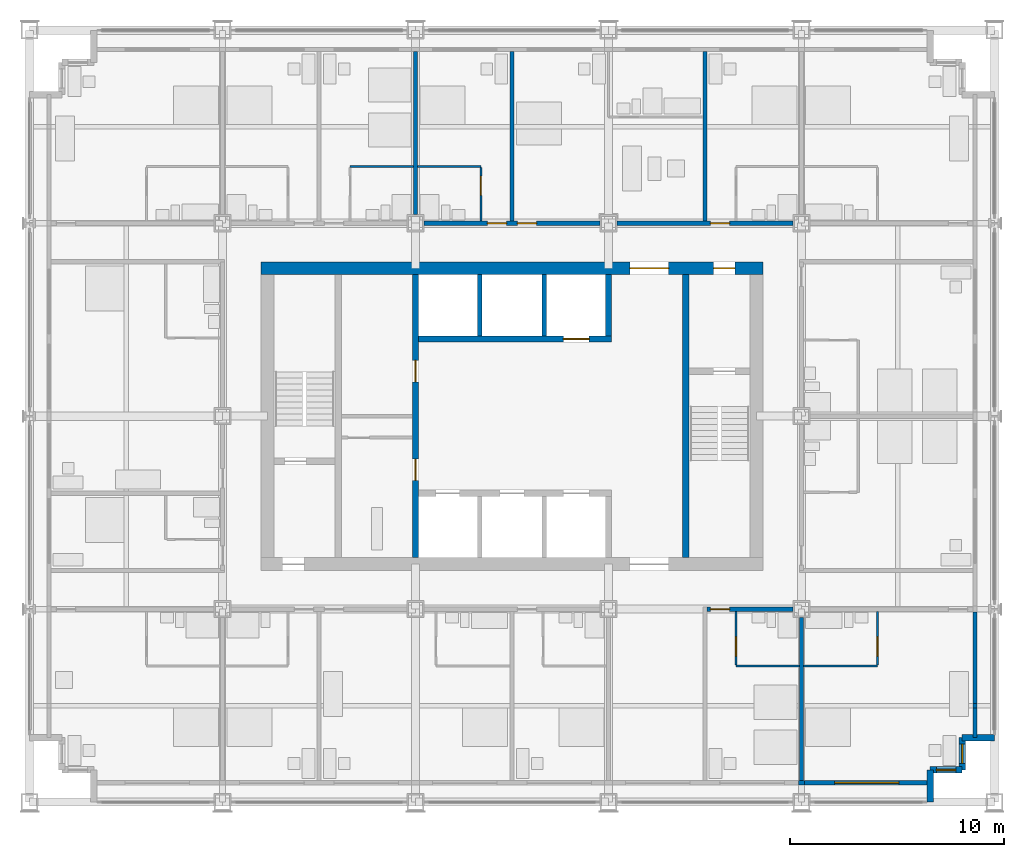
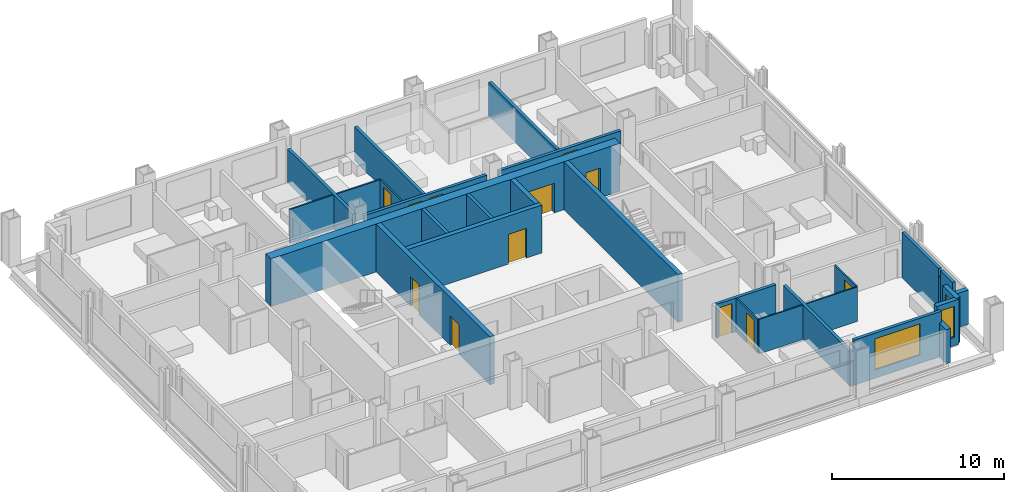
# One storey, part 11 of 16: 30 walls, 12 doors, 3 windows, 15 openings.
"""IFC4 building model written with IfcOpenShell, lengths in metres."""

from ifc_helpers import new_model, si_unit, direction, frame, frame_2d, origin, place, context, subcontext, project, spatial, rectangle, extrude, material, layer, layer_set, type_object, element, fill, save


model = new_model("IFC4")

# Units and contexts
model_context = context("Model", 3, precision=1e-05, world=origin(), true_north=direction((0.0, 1.0)))
body_context = subcontext(model_context, "Body", "Model", "MODEL_VIEW")
ifc_project = project(units=[si_unit("LENGTHUNIT", "METRE"), si_unit("AREAUNIT", "SQUARE_METRE"), si_unit("VOLUMEUNIT", "CUBIC_METRE"), si_unit("PLANEANGLEUNIT", "RADIAN"), si_unit("MASSUNIT", "GRAM", prefix="KILO")], contexts=[model_context])

# Site, building, storey
site_placement = place(None, origin())
site = spatial("IfcSite", under=ifc_project, at=site_placement, CompositionType="ELEMENT")
building_placement = place(site_placement, origin())
building = spatial("IfcBuilding", under=site, at=building_placement, Name="Loomwork Tower", CompositionType="ELEMENT")
storey_placement = place(building_placement, frame((0.0, 0.0, 101.0)))
storey = spatial("IfcBuildingStorey", under=building, at=storey_placement, Name="L26", CompositionType="ELEMENT", Elevation=101.0)

# Wall, openings, doors
ifc_material_1 = material(Name="Concrete 14000 psi (97 MPa)", Category="concrete")
ifc_layer_1 = layer(ifc_material_1, 0.300048828125)
ifc_layer_set_1 = layer_set([ifc_layer_1], Name="Core shear wall 300")
wall_type_1 = type_object("IfcWallType", Name="Core shear wall 300", PredefinedType="SHEAR", material=ifc_layer_set_1)
wall_1_placement = place(storey_placement, frame((18.0, 11.39990234375, 0.0), z_axis=(0.0, 0.0, 1.0), x_axis=(0.0, 1.0, 0.0)))
wall_1 = element("IfcWall", 1, at=wall_1_placement, inside=storey, type_object=wall_type_1, Name="Lobby west wall L26", PredefinedType="SHEAR", context=body_context, shape_type="SweptSolid", body=[
    extrude(rectangle(XDim=13.2001953125, YDim=0.300048828125, at=frame_2d((6.60009765625, 0.0))), origin(), (0.0, 0.0, 1.0), 3.39990234375),
])
opening_1_placement = place(wall_1_placement, frame((3.60009765625, 0.0, 0.0)))
opening_1 = element("IfcOpeningElement", 2, at=opening_1_placement, cuts=wall_1, Name="Opening D5", PredefinedType="OPENING", context=body_context, shape_type="SweptSolid", body=[
    extrude(rectangle(XDim=1.0, YDim=2.10009765625, at=frame_2d((0.5, 1.050048828125))), frame((0.0, 0.159912109375, 0.0), z_axis=(0.0, -1.0, 0.0), x_axis=(1.0, 0.0, 0.0)), (0.0, 0.0, 1.0), 0.320068359375),
])
opening_2_placement = place(wall_1_placement, frame((8.199951171875, 0.0, 0.0)))
opening_2 = element("IfcOpeningElement", 3, at=opening_2_placement, cuts=wall_1, Name="Opening D5", PredefinedType="OPENING", context=body_context, shape_type="SweptSolid", body=[
    extrude(rectangle(XDim=1.0, YDim=2.10009765625, at=frame_2d((0.5, 1.050048828125))), frame((0.0, 0.159912109375, 0.0), z_axis=(0.0, -1.0, 0.0), x_axis=(1.0, 0.0, 0.0)), (0.0, 0.0, 1.0), 0.320068359375),
])
ifc_material_2 = material(Name="Hollow metal door and frame")
door_type_1 = type_object("IfcDoorType", Name="Service door 1000", OperationType="SINGLE_SWING_LEFT", PredefinedType="DOOR", material=ifc_material_2)
door_1_placement = place(opening_1_placement, origin())
door_1 = element("IfcDoor", 4, at=door_1_placement, inside=storey, type_object=door_type_1, Name="Back-of-house door south", OperationType="SINGLE_SWING_LEFT", OverallHeight=2.10009765625, OverallWidth=1.0, PredefinedType="DOOR", context=body_context, shape_type="SweptSolid", body=[
    extrude(rectangle(XDim=1.0, YDim=2.10009765625, at=frame_2d((0.5, 1.050048828125))), frame((0.0, 0.02490234375, 0.0), z_axis=(0.0, -1.0, 0.0), x_axis=(1.0, 0.0, 0.0)), (0.0, 0.0, 1.0), 0.050048828125),
])
fill(opening_1, door_1)
door_2_placement = place(opening_2_placement, origin())
door_2 = element("IfcDoor", 5, at=door_2_placement, inside=storey, type_object=door_type_1, Name="Back-of-house door north", OperationType="SINGLE_SWING_RIGHT", OverallHeight=2.10009765625, OverallWidth=1.0, PredefinedType="DOOR", context=body_context, shape_type="SweptSolid", body=[
    extrude(rectangle(XDim=1.0, YDim=2.10009765625, at=frame_2d((0.5, 1.050048828125))), frame((0.0, 0.02490234375, 0.0), z_axis=(0.0, -1.0, 0.0), x_axis=(1.0, 0.0, 0.0)), (0.0, 0.0, 1.0), 0.050048828125),
])
fill(opening_2, door_2)

# Wall, opening, door
wall_2_placement = place(storey_placement, frame((18.14990234375, 21.60009765625, 0.0), z_axis=(0.0, 0.0, 1.0), x_axis=(1.0, 0.0, 0.0)))
wall_2 = element("IfcWall", 6, at=wall_2_placement, inside=storey, type_object=wall_type_1, Name="Lift front wall north L26", PredefinedType="SHEAR", context=body_context, shape_type="SweptSolid", body=[
    extrude(rectangle(XDim=9.0, YDim=0.300048828125, at=frame_2d((4.5, 0.0))), origin(), (0.0, 0.0, 1.0), 3.39990234375),
])
opening_3_placement = place(wall_2_placement, frame((6.75, 0.0, 0.0)))
opening_3 = element("IfcOpeningElement", 7, at=opening_3_placement, cuts=wall_2, Name="Opening LD2", PredefinedType="OPENING", context=body_context, shape_type="SweptSolid", body=[
    extrude(rectangle(XDim=1.199951171875, YDim=2.10009765625, at=frame_2d((0.60009765625, 1.050048828125))), frame((0.0, 0.159912109375, 0.0), z_axis=(0.0, -1.0, 0.0), x_axis=(1.0, 0.0, 0.0)), (0.0, 0.0, 1.0), 0.320068359375),
])
ifc_material_3 = material(Name="Hollow metal door and frame")
door_type_2 = type_object("IfcDoorType", Name="Lift landing door 1200", OperationType="SLIDING_TO_LEFT", PredefinedType="DOOR", material=ifc_material_3)
door_3_placement = place(opening_3_placement, origin())
door_3 = element("IfcDoor", 8, at=door_3_placement, inside=storey, type_object=door_type_2, Name="Lift landing door LF2", OperationType="SLIDING_TO_LEFT", OverallHeight=2.10009765625, OverallWidth=1.199951171875, PredefinedType="DOOR", context=body_context, shape_type="SweptSolid", body=[
    extrude(rectangle(XDim=1.199951171875, YDim=2.10009765625, at=frame_2d((0.60009765625, 1.050048828125))), frame((0.0, 0.02490234375, 0.0), z_axis=(0.0, -1.0, 0.0), x_axis=(1.0, 0.0, 0.0)), (0.0, 0.0, 1.0), 0.050048828125),
])
fill(opening_3, door_3)

# Walls
wall_3_placement = place(storey_placement, frame((27.0, 21.75, 0.0), z_axis=(0.0, 0.0, 1.0), x_axis=(0.0, 1.0, 0.0)))
element("IfcWall", 9, at=wall_3_placement, inside=storey, type_object=wall_type_1, Name="Lift shaft end wall north L26", PredefinedType="SHEAR", context=body_context, shape_type="SweptSolid", body=[
    extrude(rectangle(XDim=2.85009765625, YDim=0.300048828125, at=frame_2d((1.425048828125, 0.0))), origin(), (0.0, 0.0, 1.0), 3.39990234375),
])
wall_4_placement = place(storey_placement, frame((30.60009765625, 11.39990234375, 0.0), z_axis=(0.0, 0.0, 1.0), x_axis=(0.0, 1.0, 0.0)))
element("IfcWall", 10, at=wall_4_placement, inside=storey, type_object=wall_type_1, Name="Stair B west wall L26", PredefinedType="SHEAR", context=body_context, shape_type="SweptSolid", body=[
    extrude(rectangle(XDim=13.2001953125, YDim=0.300048828125, at=frame_2d((6.60009765625, 0.0))), origin(), (0.0, 0.0, 1.0), 3.39990234375),
])

# Wall, openings, doors
ifc_material_4 = material(Name="Concrete 14000 psi (97 MPa)", Category="concrete")
ifc_layer_2 = layer(ifc_material_4, 0.60009765625)
ifc_layer_set_2 = layer_set([ifc_layer_2], Name="Core shear wall 600")
wall_type_2 = type_object("IfcWallType", Name="Core shear wall 600", PredefinedType="SHEAR", material=ifc_layer_set_2)
wall_5_placement = place(storey_placement, frame((10.800048828125, 24.89990234375, 0.0), z_axis=(0.0, 0.0, 1.0), x_axis=(1.0, 0.0, 0.0)))
wall_5 = element("IfcWall", 11, at=wall_5_placement, inside=storey, type_object=wall_type_2, Name="Core wall north L26", PredefinedType="SHEAR", context=body_context, shape_type="SweptSolid", body=[
    extrude(rectangle(XDim=23.39990234375, YDim=0.60009765625, at=frame_2d((11.699951171875, 0.0))), origin(), (0.0, 0.0, 1.0), 3.39990234375),
])
opening_4_placement = place(wall_5_placement, frame((17.199951171875, 0.0, 0.0)))
opening_4 = element("IfcOpeningElement", 12, at=opening_4_placement, cuts=wall_5, Name="Opening D6", PredefinedType="OPENING", context=body_context, shape_type="SweptSolid", body=[
    extrude(rectangle(XDim=1.800048828125, YDim=2.10009765625, at=frame_2d((0.89990234375, 1.050048828125))), frame((0.0, 0.31005859375, 0.0), z_axis=(0.0, -1.0, 0.0), x_axis=(1.0, 0.0, 0.0)), (0.0, 0.0, 1.0), 0.6201171875),
])
opening_5_placement = place(wall_5_placement, frame((21.10009765625, 0.0, 0.0)))
opening_5 = element("IfcOpeningElement", 13, at=opening_5_placement, cuts=wall_5, Name="Opening D4", PredefinedType="OPENING", context=body_context, shape_type="SweptSolid", body=[
    extrude(rectangle(XDim=1.0, YDim=2.10009765625, at=frame_2d((0.5, 1.050048828125))), frame((0.0, 0.31005859375, 0.0), z_axis=(0.0, -1.0, 0.0), x_axis=(1.0, 0.0, 0.0)), (0.0, 0.0, 1.0), 0.6201171875),
])
ifc_material_5 = material(Name="Hollow metal door and frame")
door_type_3 = type_object("IfcDoorType", Name="Lobby passage double door 1800", OperationType="DOUBLE_DOOR_SINGLE_SWING", PredefinedType="DOOR", material=ifc_material_5)
door_4_placement = place(opening_4_placement, frame((1.800048828125, 0.0, 0.0), z_axis=(0.0, 0.0, 1.0), x_axis=(-1.0, 0.0, 0.0)))
door_4 = element("IfcDoor", 14, at=door_4_placement, inside=storey, type_object=door_type_3, Name="Lobby passage door north", OperationType="DOUBLE_DOOR_SINGLE_SWING", OverallHeight=2.10009765625, OverallWidth=1.800048828125, PredefinedType="DOOR", context=body_context, shape_type="SweptSolid", body=[
    extrude(rectangle(XDim=1.800048828125, YDim=2.10009765625, at=frame_2d((0.89990234375, 1.050048828125))), frame((0.0, 0.02490234375, 0.0), z_axis=(0.0, -1.0, 0.0), x_axis=(1.0, 0.0, 0.0)), (0.0, 0.0, 1.0), 0.050048828125),
])
fill(opening_4, door_4)
ifc_material_6 = material(Name="Hollow metal door and frame")
door_type_4 = type_object("IfcDoorType", Name="Stair door 1000", OperationType="SINGLE_SWING_RIGHT", PredefinedType="DOOR", material=ifc_material_6)
door_5_placement = place(opening_5_placement, frame((1.0, 0.0, 0.0), z_axis=(0.0, 0.0, 1.0), x_axis=(-1.0, 0.0, 0.0)))
door_5 = element("IfcDoor", 15, at=door_5_placement, inside=storey, type_object=door_type_4, Name="Stair B vestibule door", OperationType="SINGLE_SWING_LEFT", OverallHeight=2.10009765625, OverallWidth=1.0, PredefinedType="DOOR", context=body_context, shape_type="SweptSolid", body=[
    extrude(rectangle(XDim=1.0, YDim=2.10009765625, at=frame_2d((0.5, 1.050048828125))), frame((0.0, 0.02490234375, 0.0), z_axis=(0.0, -1.0, 0.0), x_axis=(1.0, 0.0, 0.0)), (0.0, 0.0, 1.0), 0.050048828125),
])
fill(opening_5, door_5)

# Wall, opening, door
ifc_material_7 = material(Name="Gypsum board on steel studs, one-hour", Category="steel")
ifc_layer_3 = layer(ifc_material_7, 0.199951171875)
ifc_layer_set_3 = layer_set([ifc_layer_3], Name="Corridor wall 200")
wall_type_3 = type_object("IfcWallType", Name="Corridor wall 200", PredefinedType="PARTITIONING", material=ifc_layer_set_3)
wall_6_placement = place(storey_placement, frame((31.60009765625, 9.0, 0.0), z_axis=(0.0, 0.0, 1.0), x_axis=(1.0, 0.0, 0.0)))
wall_6 = element("IfcWall", 16, at=wall_6_placement, inside=storey, type_object=wall_type_3, Name="South corridor wall 4", PredefinedType="PARTITIONING", context=body_context, shape_type="SweptSolid", body=[
    extrude(rectangle(XDim=4.0, YDim=0.199951171875, at=frame_2d((2.0, 0.0))), origin(), (0.0, 0.0, 1.0), 2.405029296875),
])
opening_6_placement = place(wall_6_placement, frame((0.14990234375, 0.0, 0.0)))
opening_6 = element("IfcOpeningElement", 17, at=opening_6_placement, cuts=wall_6, Name="Opening D1", PredefinedType="OPENING", context=body_context, shape_type="SweptSolid", body=[
    extrude(rectangle(XDim=0.89990234375, YDim=2.10009765625, at=frame_2d((0.449951171875, 1.050048828125))), frame((0.0, 0.10986328125, 0.0), z_axis=(0.0, -1.0, 0.0), x_axis=(1.0, 0.0, 0.0)), (0.0, 0.0, 1.0), 0.219970703125),
])
ifc_material_8 = material(Name="Hollow metal door and frame")
door_type_5 = type_object("IfcDoorType", Name="Guest room entry door 900", OperationType="SINGLE_SWING_LEFT", PredefinedType="DOOR", material=ifc_material_8)
door_6_placement = place(opening_6_placement, frame((0.89990234375, 0.0, 0.0), z_axis=(0.0, 0.0, 1.0), x_axis=(-1.0, 0.0, 0.0)))
door_6 = element("IfcDoor", 18, at=door_6_placement, inside=storey, type_object=door_type_5, Name="Guest room entry door L26 5", OperationType="SINGLE_SWING_RIGHT", OverallHeight=2.10009765625, OverallWidth=0.89990234375, PredefinedType="DOOR", context=body_context, shape_type="SweptSolid", body=[
    extrude(rectangle(XDim=0.89990234375, YDim=2.10009765625, at=frame_2d((0.449951171875, 1.050048828125))), frame((0.0, 0.02490234375, 0.0), z_axis=(0.0, -1.0, 0.0), x_axis=(1.0, 0.0, 0.0)), (0.0, 0.0, 1.0), 0.050048828125),
])
fill(opening_6, door_6)

# Wall, openings, doors
wall_7_placement = place(storey_placement, frame((18.39990234375, 27.0, 0.0), z_axis=(0.0, 0.0, 1.0), x_axis=(1.0, 0.0, 0.0)))
wall_7 = element("IfcWall", 19, at=wall_7_placement, inside=storey, type_object=wall_type_3, Name="North corridor wall 3", PredefinedType="PARTITIONING", context=body_context, shape_type="SweptSolid", body=[
    extrude(rectangle(XDim=8.2001953125, YDim=0.199951171875, at=frame_2d((4.10009765625, 0.0))), origin(), (0.0, 0.0, 1.0), 2.405029296875),
])
opening_7_placement = place(wall_7_placement, frame((2.949951171875, 0.0, 0.0)))
opening_7 = element("IfcOpeningElement", 20, at=opening_7_placement, cuts=wall_7, Name="Opening D1", PredefinedType="OPENING", context=body_context, shape_type="SweptSolid", body=[
    extrude(rectangle(XDim=0.89990234375, YDim=2.10009765625, at=frame_2d((0.449951171875, 1.050048828125))), frame((0.0, 0.10986328125, 0.0), z_axis=(0.0, -1.0, 0.0), x_axis=(1.0, 0.0, 0.0)), (0.0, 0.0, 1.0), 0.219970703125),
])
opening_8_placement = place(wall_7_placement, frame((4.35009765625, 0.0, 0.0)))
opening_8 = element("IfcOpeningElement", 21, at=opening_8_placement, cuts=wall_7, Name="Opening D1", PredefinedType="OPENING", context=body_context, shape_type="SweptSolid", body=[
    extrude(rectangle(XDim=0.89990234375, YDim=2.10009765625, at=frame_2d((0.449951171875, 1.050048828125))), frame((0.0, 0.10986328125, 0.0), z_axis=(0.0, -1.0, 0.0), x_axis=(1.0, 0.0, 0.0)), (0.0, 0.0, 1.0), 0.219970703125),
])
door_7_placement = place(opening_7_placement, origin())
door_7 = element("IfcDoor", 22, at=door_7_placement, inside=storey, type_object=door_type_5, Name="Guest room entry door L26 10", OperationType="SINGLE_SWING_RIGHT", OverallHeight=2.10009765625, OverallWidth=0.89990234375, PredefinedType="DOOR", context=body_context, shape_type="SweptSolid", body=[
    extrude(rectangle(XDim=0.89990234375, YDim=2.10009765625, at=frame_2d((0.449951171875, 1.050048828125))), frame((0.0, 0.02490234375, 0.0), z_axis=(0.0, -1.0, 0.0), x_axis=(1.0, 0.0, 0.0)), (0.0, 0.0, 1.0), 0.050048828125),
])
fill(opening_7, door_7)
door_8_placement = place(opening_8_placement, origin())
door_8 = element("IfcDoor", 23, at=door_8_placement, inside=storey, type_object=door_type_5, Name="Guest room entry door L26 11", OperationType="SINGLE_SWING_LEFT", OverallHeight=2.10009765625, OverallWidth=0.89990234375, PredefinedType="DOOR", context=body_context, shape_type="SweptSolid", body=[
    extrude(rectangle(XDim=0.89990234375, YDim=2.10009765625, at=frame_2d((0.449951171875, 1.050048828125))), frame((0.0, 0.02490234375, 0.0), z_axis=(0.0, -1.0, 0.0), x_axis=(1.0, 0.0, 0.0)), (0.0, 0.0, 1.0), 0.050048828125),
])
fill(opening_8, door_8)

# Wall, opening, door
wall_8_placement = place(storey_placement, frame((27.39990234375, 27.0, 0.0), z_axis=(0.0, 0.0, 1.0), x_axis=(1.0, 0.0, 0.0)))
wall_8 = element("IfcWall", 24, at=wall_8_placement, inside=storey, type_object=wall_type_3, Name="North corridor wall 4", PredefinedType="PARTITIONING", context=body_context, shape_type="SweptSolid", body=[
    extrude(rectangle(XDim=8.2001953125, YDim=0.199951171875, at=frame_2d((4.10009765625, 0.0))), origin(), (0.0, 0.0, 1.0), 2.405029296875),
])
opening_9_placement = place(wall_8_placement, frame((4.35009765625, 0.0, 0.0)))
opening_9 = element("IfcOpeningElement", 25, at=opening_9_placement, cuts=wall_8, Name="Opening D1", PredefinedType="OPENING", context=body_context, shape_type="SweptSolid", body=[
    extrude(rectangle(XDim=0.89990234375, YDim=2.10009765625, at=frame_2d((0.449951171875, 1.050048828125))), frame((0.0, 0.10986328125, 0.0), z_axis=(0.0, -1.0, 0.0), x_axis=(1.0, 0.0, 0.0)), (0.0, 0.0, 1.0), 0.219970703125),
])
door_9_placement = place(opening_9_placement, origin())
door_9 = element("IfcDoor", 26, at=door_9_placement, inside=storey, type_object=door_type_5, Name="Guest room entry door L26 12", OperationType="SINGLE_SWING_LEFT", OverallHeight=2.10009765625, OverallWidth=0.89990234375, PredefinedType="DOOR", context=body_context, shape_type="SweptSolid", body=[
    extrude(rectangle(XDim=0.89990234375, YDim=2.10009765625, at=frame_2d((0.449951171875, 1.050048828125))), frame((0.0, 0.02490234375, 0.0), z_axis=(0.0, -1.0, 0.0), x_axis=(1.0, 0.0, 0.0)), (0.0, 0.0, 1.0), 0.050048828125),
])
fill(opening_9, door_9)

# Wall
ifc_material_9 = material(Name="Cement board on steel studs", Category="steel")
ifc_layer_4 = layer(ifc_material_9, 0.10009765625)
ifc_layer_set_4 = layer_set([ifc_layer_4], Name="En-suite partition 100")
wall_type_4 = type_object("IfcWallType", Name="En-suite partition 100", PredefinedType="PARTITIONING", material=ifc_layer_set_4)
wall_9_placement = place(storey_placement, frame((32.949951171875, 6.35009765625, 0.0), z_axis=(0.0, 0.0, 1.0), x_axis=(1.0, 0.0, 0.0)))
element("IfcWall", 27, at=wall_9_placement, inside=storey, type_object=wall_type_4, Name="En-suite wall L26 room 5", PredefinedType="PARTITIONING", context=body_context, shape_type="SweptSolid", body=[
    extrude(rectangle(XDim=2.949951171875, YDim=0.10009765625, at=frame_2d((1.47509765625, 0.0))), origin(), (0.0, 0.0, 1.0), 2.43798828125),
])

# Wall, opening, door
wall_10_placement = place(storey_placement, frame((32.949951171875, 8.89990234375, 0.0), z_axis=(0.0, 0.0, 1.0), x_axis=(0.0, -1.0, 0.0)))
wall_10 = element("IfcWall", 28, at=wall_10_placement, inside=storey, type_object=wall_type_4, Name="En-suite side wall L26 room 5", PredefinedType="PARTITIONING", context=body_context, shape_type="SweptSolid", body=[
    extrude(rectangle(XDim=2.5, YDim=0.10009765625, at=frame_2d((1.25, 0.0))), origin(), (0.0, 0.0, 1.0), 2.404052734375),
])
opening_10_placement = place(wall_10_placement, frame((1.199951171875, 0.0, 0.0)))
opening_10 = element("IfcOpeningElement", 29, at=opening_10_placement, cuts=wall_10, Name="Opening D2", PredefinedType="OPENING", context=body_context, shape_type="SweptSolid", body=[
    extrude(rectangle(XDim=0.89990234375, YDim=2.10009765625, at=frame_2d((0.449951171875, 1.050048828125))), frame((0.0, 0.06005859375, 0.0), z_axis=(0.0, -1.0, 0.0), x_axis=(1.0, 0.0, 0.0)), (0.0, 0.0, 1.0), 0.1201171875),
])
ifc_material_10 = material(Name="Hollow metal door and frame")
door_type_6 = type_object("IfcDoorType", Name="En-suite door 900", OperationType="SINGLE_SWING_LEFT", PredefinedType="DOOR", material=ifc_material_10)
door_10_placement = place(opening_10_placement, origin())
door_10 = element("IfcDoor", 30, at=door_10_placement, inside=storey, type_object=door_type_6, Name="En-suite door room 5", OperationType="SINGLE_SWING_RIGHT", OverallHeight=2.10009765625, OverallWidth=0.89990234375, PredefinedType="DOOR", context=body_context, shape_type="SweptSolid", body=[
    extrude(rectangle(XDim=0.89990234375, YDim=2.10009765625, at=frame_2d((0.449951171875, 1.050048828125))), frame((0.0, 0.02490234375, 0.0), z_axis=(0.0, -1.0, 0.0), x_axis=(1.0, 0.0, 0.0)), (0.0, 0.0, 1.0), 0.050048828125),
])
fill(opening_10, door_10)

# Wall
wall_11_placement = place(storey_placement, frame((36.10009765625, 6.35009765625, 0.0), z_axis=(0.0, 0.0, 1.0), x_axis=(1.0, 0.0, 0.0)))
element("IfcWall", 31, at=wall_11_placement, inside=storey, type_object=wall_type_4, Name="En-suite wall L26 room 6", PredefinedType="PARTITIONING", context=body_context, shape_type="SweptSolid", body=[
    extrude(rectangle(XDim=3.449951171875, YDim=0.10009765625, at=frame_2d((1.72509765625, 0.0))), origin(), (0.0, 0.0, 1.0), 2.43798828125),
])

# Wall, opening, door
wall_12_placement = place(storey_placement, frame((39.550048828125, 8.89990234375, 0.0), z_axis=(0.0, 0.0, 1.0), x_axis=(0.0, -1.0, 0.0)))
wall_12 = element("IfcWall", 32, at=wall_12_placement, inside=storey, type_object=wall_type_4, Name="En-suite side wall L26 room 6", PredefinedType="PARTITIONING", context=body_context, shape_type="SweptSolid", body=[
    extrude(rectangle(XDim=2.5, YDim=0.10009765625, at=frame_2d((1.25, 0.0))), origin(), (0.0, 0.0, 1.0), 2.43798828125),
])
opening_11_placement = place(wall_12_placement, frame((1.199951171875, 0.0, 0.0)))
opening_11 = element("IfcOpeningElement", 33, at=opening_11_placement, cuts=wall_12, Name="Opening D2", PredefinedType="OPENING", context=body_context, shape_type="SweptSolid", body=[
    extrude(rectangle(XDim=0.89990234375, YDim=2.10009765625, at=frame_2d((0.449951171875, 1.050048828125))), frame((0.0, 0.06005859375, 0.0), z_axis=(0.0, -1.0, 0.0), x_axis=(1.0, 0.0, 0.0)), (0.0, 0.0, 1.0), 0.1201171875),
])
door_11_placement = place(opening_11_placement, frame((0.89990234375, 0.0, 0.0), z_axis=(0.0, 0.0, 1.0), x_axis=(-1.0, 0.0, 0.0)))
door_11 = element("IfcDoor", 34, at=door_11_placement, inside=storey, type_object=door_type_6, Name="En-suite door room 6", OperationType="SINGLE_SWING_LEFT", OverallHeight=2.10009765625, OverallWidth=0.89990234375, PredefinedType="DOOR", context=body_context, shape_type="SweptSolid", body=[
    extrude(rectangle(XDim=0.89990234375, YDim=2.10009765625, at=frame_2d((0.449951171875, 1.050048828125))), frame((0.0, 0.02490234375, 0.0), z_axis=(0.0, -1.0, 0.0), x_axis=(1.0, 0.0, 0.0)), (0.0, 0.0, 1.0), 0.050048828125),
])
fill(opening_11, door_11)

# Walls
for number, where, z_axis, x_axis, name in (
    (35, (14.949951171875, 29.64990234375, 0.0), (0.0, 0.0, 1.0), (1.0, 0.0, 0.0), "En-suite wall L26 room 9"),
    (36, (18.10009765625, 29.64990234375, 0.0), (0.0, 0.0, 1.0), (1.0, 0.0, 0.0), "En-suite wall L26 room 10"),
):
    element("IfcWall", number, at=place(storey_placement, frame(where, z_axis=z_axis, x_axis=x_axis)), inside=storey, type_object=wall_type_4, Name=name, PredefinedType="PARTITIONING", context=body_context, shape_type="SweptSolid", body=[
        extrude(rectangle(XDim=2.949951171875, YDim=0.10009765625, at=frame_2d((1.47509765625, 0.0))), origin(), (0.0, 0.0, 1.0), 2.404052734375),
    ])

# Wall, opening, door
wall_13_placement = place(storey_placement, frame((21.050048828125, 27.10009765625, 0.0), z_axis=(0.0, 0.0, 1.0), x_axis=(0.0, 1.0, 0.0)))
wall_13 = element("IfcWall", 37, at=wall_13_placement, inside=storey, type_object=wall_type_4, Name="En-suite side wall L26 room 10", PredefinedType="PARTITIONING", context=body_context, shape_type="SweptSolid", body=[
    extrude(rectangle(XDim=2.5, YDim=0.10009765625, at=frame_2d((1.25, 0.0))), origin(), (0.0, 0.0, 1.0), 2.404052734375),
])
opening_12_placement = place(wall_13_placement, frame((1.199951171875, 0.0, 0.0)))
opening_12 = element("IfcOpeningElement", 38, at=opening_12_placement, cuts=wall_13, Name="Opening D2", PredefinedType="OPENING", context=body_context, shape_type="SweptSolid", body=[
    extrude(rectangle(XDim=0.89990234375, YDim=2.10009765625, at=frame_2d((0.449951171875, 1.050048828125))), frame((0.0, 0.06005859375, 0.0), z_axis=(0.0, -1.0, 0.0), x_axis=(1.0, 0.0, 0.0)), (0.0, 0.0, 1.0), 0.1201171875),
])
door_12_placement = place(opening_12_placement, origin())
door_12 = element("IfcDoor", 39, at=door_12_placement, inside=storey, type_object=door_type_6, Name="En-suite door room 10", OperationType="SINGLE_SWING_RIGHT", OverallHeight=2.10009765625, OverallWidth=0.89990234375, PredefinedType="DOOR", context=body_context, shape_type="SweptSolid", body=[
    extrude(rectangle(XDim=0.89990234375, YDim=2.10009765625, at=frame_2d((0.449951171875, 1.050048828125))), frame((0.0, 0.02490234375, 0.0), z_axis=(0.0, -1.0, 0.0), x_axis=(1.0, 0.0, 0.0)), (0.0, 0.0, 1.0), 0.050048828125),
])
fill(opening_12, door_12)

# Walls
ifc_material_11 = material(Name="Gypsum board on steel studs, acoustic", Category="steel")
ifc_layer_5 = layer(ifc_material_11, 0.199951171875)
ifc_layer_set_5 = layer_set([ifc_layer_5], Name="Guest room party wall 200")
wall_type_5 = type_object("IfcWallType", Name="Guest room party wall 200", PredefinedType="PARTITIONING", material=ifc_layer_set_5)
wall_14_placement = place(storey_placement, frame((36.0, 8.60009765625, 0.0), z_axis=(0.0, 0.0, 1.0), x_axis=(0.0, -1.0, 0.0)))
element("IfcWall", 40, at=wall_14_placement, inside=storey, type_object=wall_type_5, Name="Guest room party wall S 36", PredefinedType="PARTITIONING", context=body_context, shape_type="SweptSolid", body=[
    extrude(rectangle(XDim=7.60009765625, YDim=0.199951171875, at=frame_2d((3.800048828125, 0.0))), origin(), (0.0, 0.0, 1.0), 2.43798828125),
])
wall_15_placement = place(storey_placement, frame((18.0, 27.39990234375, 0.0), z_axis=(0.0, 0.0, 1.0), x_axis=(0.0, 1.0, 0.0)))
element("IfcWall", 41, at=wall_15_placement, inside=storey, type_object=wall_type_5, Name="Guest room party wall N 18", PredefinedType="PARTITIONING", context=body_context, shape_type="SweptSolid", body=[
    extrude(rectangle(XDim=7.60009765625, YDim=0.199951171875, at=frame_2d((3.800048828125, 0.0))), origin(), (0.0, 0.0, 1.0), 2.405029296875),
])
for number, where, z_axis, x_axis, name in (
    (42, (22.5, 27.10009765625, 0.0), (0.0, 0.0, 1.0), (0.0, 1.0, 0.0), "Guest room party wall N 22.5"),
    (43, (31.5, 27.10009765625, 0.0), (0.0, 0.0, 1.0), (0.0, 1.0, 0.0), "Guest room party wall N 31.5"),
):
    element("IfcWall", number, at=place(storey_placement, frame(where, z_axis=z_axis, x_axis=x_axis)), inside=storey, type_object=wall_type_5, Name=name, PredefinedType="PARTITIONING", context=body_context, shape_type="SweptSolid", body=[
        extrude(rectangle(XDim=7.89990234375, YDim=0.199951171875, at=frame_2d((3.949951171875, 0.0))), origin(), (0.0, 0.0, 1.0), 2.404052734375),
    ])
ifc_material_12 = material(Name="Insulated steel stud wall with gypsum lining", Category="steel")
ifc_layer_6 = layer(ifc_material_12, 0.199951171875)
ifc_layer_set_6 = layer_set([ifc_layer_6], Name="Inner skin wall 200")
wall_type_6 = type_object("IfcWallType", Name="Inner skin wall 200", PredefinedType="SOLIDWALL", material=ifc_layer_set_6)
wall_16_placement = place(storey_placement, frame((44.10009765625, 3.0, 0.0), z_axis=(0.0, 0.0, 1.0), x_axis=(0.0, 1.0, 0.0)))
element("IfcWall", 44, at=wall_16_placement, inside=storey, type_object=wall_type_6, Name="Inner skin wall E", PredefinedType="SOLIDWALL", context=body_context, shape_type="SweptSolid", body=[
    extrude(rectangle(XDim=1.392578125, YDim=0.199951171875, at=frame_2d((0.6962890625, 0.0))), origin(), (0.0, 0.0, 1.0), 3.199951171875),
])
wall_17_placement = place(storey_placement, frame((35.864501953125, 0.89990234375, 0.0), z_axis=(0.0, 0.0, 1.0), x_axis=(1.0, 0.0, 0.0)))
element("IfcWall", 45, at=wall_17_placement, inside=storey, type_object=wall_type_6, Name="Inner skin wall S bay 8", PredefinedType="SOLIDWALL", context=body_context, shape_type="SweptSolid", body=[
    extrude(rectangle(XDim=0.27099609375, YDim=0.199951171875, at=frame_2d((0.135498046875, 0.0))), origin(), (0.0, 0.0, 1.0), 2.43798828125),
])

# Wall, opening, window
wall_18_placement = place(storey_placement, frame((36.135498046875, 0.89990234375, 0.0), z_axis=(0.0, 0.0, 1.0), x_axis=(1.0, 0.0, 0.0)))
wall_18 = element("IfcWall", 46, at=wall_18_placement, inside=storey, type_object=wall_type_6, Name="Inner skin wall S bay 9", PredefinedType="SOLIDWALL", context=body_context, shape_type="SweptSolid", body=[
    extrude(rectangle(XDim=5.864501953125, YDim=0.199951171875, at=frame_2d((2.93212890625, 0.0))), origin(), (0.0, 0.0, 1.0), 3.199951171875),
])
opening_13_placement = place(wall_18_placement, frame((1.41455078125, 0.0, 0.60009765625)))
opening_13 = element("IfcOpeningElement", 47, at=opening_13_placement, cuts=wall_18, Name="Opening CH1", PredefinedType="OPENING", context=body_context, shape_type="SweptSolid", body=[
    extrude(rectangle(XDim=3.0, YDim=2.199951171875, at=frame_2d((1.5, 1.10009765625))), frame((0.0, 0.10986328125, 0.0), z_axis=(0.0, -1.0, 0.0), x_axis=(1.0, 0.0, 0.0)), (0.0, 0.0, 1.0), 0.219970703125),
])
ifc_material_13 = material(Name="Aluminium frame with clear insulated glass", Category="aluminium")
window_type_1 = type_object("IfcWindowType", Name="Chicago window 3000", PartitioningType="TRIPLE_PANEL_VERTICAL", PredefinedType="WINDOW", material=ifc_material_13)
window_1_placement = place(opening_13_placement, origin())
window_1 = element("IfcWindow", 48, at=window_1_placement, inside=storey, type_object=window_type_1, Name="Chicago window L26 bay 5", OverallHeight=2.199951171875, OverallWidth=3.0, PartitioningType="TRIPLE_PANEL_VERTICAL", PredefinedType="WINDOW", context=body_context, shape_type="SweptSolid", body=[
    extrude(rectangle(XDim=3.0, YDim=2.199951171875, at=frame_2d((1.5, 1.10009765625))), frame((0.0, 0.030029296875, 0.0), z_axis=(0.0, -1.0, 0.0), x_axis=(1.0, 0.0, 0.0)), (0.0, 0.0, 1.0), 0.06005859375),
])
fill(opening_13, window_1)

# Walls
wall_19_placement = place(storey_placement, frame((44.10009765625, 4.392578125, 0.0), z_axis=(0.0, 0.0, 1.0), x_axis=(0.0, 1.0, 0.0)))
element("IfcWall", 49, at=wall_19_placement, inside=storey, type_object=wall_type_6, Name="Inner skin wall E bay 2", PredefinedType="SOLIDWALL", context=body_context, shape_type="SweptSolid", body=[
    extrude(rectangle(XDim=0.21484375, YDim=0.199951171875, at=frame_2d((0.107421875, 0.0))), origin(), (0.0, 0.0, 1.0), 2.660888671875),
])
wall_20_placement = place(storey_placement, frame((44.10009765625, 4.607421875, 0.0), z_axis=(0.0, 0.0, 1.0), x_axis=(0.0, 1.0, 0.0)))
element("IfcWall", 50, at=wall_20_placement, inside=storey, type_object=wall_type_6, Name="Inner skin wall E bay 3", PredefinedType="SOLIDWALL", context=body_context, shape_type="SweptSolid", body=[
    extrude(rectangle(XDim=4.25732421875, YDim=0.199951171875, at=frame_2d((2.128662109375, 0.0))), origin(), (0.0, 0.0, 1.0), 3.199951171875),
])
ifc_material_14 = material(Name="Concrete 14000 psi (97 MPa)", Category="concrete")
ifc_layer_7 = layer(ifc_material_14, 0.199951171875)
ifc_layer_set_7 = layer_set([ifc_layer_7], Name="Lift shaft wall 200")
wall_type_7 = type_object("IfcWallType", Name="Lift shaft wall 200", PredefinedType="SHEAR", material=ifc_layer_set_7)
for number, where, z_axis, x_axis, name in (
    (51, (21.0, 21.75, 0.0), (0.0, 0.0, 1.0), (0.0, 1.0, 0.0), "Lift shaft separation wall north 1 L26"),
    (52, (24.0, 21.75, 0.0), (0.0, 0.0, 1.0), (0.0, 1.0, 0.0), "Lift shaft separation wall north 2 L26"),
):
    element("IfcWall", number, at=place(storey_placement, frame(where, z_axis=z_axis, x_axis=x_axis)), inside=storey, type_object=wall_type_7, Name=name, PredefinedType="SHEAR", context=body_context, shape_type="SweptSolid", body=[
        extrude(rectangle(XDim=2.85009765625, YDim=0.199951171875, at=frame_2d((1.425048828125, 0.0))), origin(), (0.0, 0.0, 1.0), 3.39990234375),
    ])
ifc_material_15 = material(Name="Limestone on concrete masonry", Category="masonry")
ifc_layer_8 = layer(ifc_material_15, 0.300048828125)
ifc_layer_set_8 = layer_set([ifc_layer_8], Name="Limestone corner wall 300")
wall_type_8 = type_object("IfcWallType", Name="Limestone corner wall 300", PredefinedType="SOLIDWALL", material=ifc_layer_set_8)
wall_21_placement = place(storey_placement, frame((42.0, 0.0, 0.0), z_axis=(0.0, 0.0, 1.0), x_axis=(0.0, 1.0, 0.0)))
element("IfcWall", 53, at=wall_21_placement, inside=storey, type_object=wall_type_8, Name="Stone corner wall SE 1", PredefinedType="SOLIDWALL", context=body_context, shape_type="SweptSolid", body=[
    extrude(rectangle(XDim=1.5, YDim=0.300048828125, at=frame_2d((0.75, 0.0))), origin(), (0.0, 0.0, 1.0), 2.419921875),
])

# Wall, opening, window
wall_22_placement = place(storey_placement, frame((42.0, 1.5, 0.0), z_axis=(0.0, 0.0, 1.0), x_axis=(1.0, 0.0, 0.0)))
wall_22 = element("IfcWall", 54, at=wall_22_placement, inside=storey, type_object=wall_type_8, Name="Stone corner wall SE 2", PredefinedType="SOLIDWALL", context=body_context, shape_type="SweptSolid", body=[
    extrude(rectangle(XDim=1.5, YDim=0.300048828125, at=frame_2d((0.75, 0.0))), origin(), (0.0, 0.0, 1.0), 3.199951171875),
])
opening_14_placement = place(wall_22_placement, frame((0.300048828125, 0.0, 0.60009765625)))
opening_14 = element("IfcOpeningElement", 55, at=opening_14_placement, cuts=wall_22, Name="Opening CH2", PredefinedType="OPENING", context=body_context, shape_type="SweptSolid", body=[
    extrude(rectangle(XDim=0.89990234375, YDim=2.199951171875, at=frame_2d((0.449951171875, 1.10009765625))), frame((0.0, 0.159912109375, 0.0), z_axis=(0.0, -1.0, 0.0), x_axis=(1.0, 0.0, 0.0)), (0.0, 0.0, 1.0), 0.320068359375),
])
ifc_material_16 = material(Name="Aluminium frame with clear insulated glass", Category="aluminium")
window_type_2 = type_object("IfcWindowType", Name="Corner window 900", PartitioningType="SINGLE_PANEL", PredefinedType="WINDOW", material=ifc_material_16)
window_2_placement = place(opening_14_placement, origin())
window_2 = element("IfcWindow", 56, at=window_2_placement, inside=storey, type_object=window_type_2, Name="Corner window SE", OverallHeight=2.199951171875, OverallWidth=0.89990234375, PartitioningType="SINGLE_PANEL", PredefinedType="WINDOW", context=body_context, shape_type="SweptSolid", body=[
    extrude(rectangle(XDim=0.89990234375, YDim=2.199951171875, at=frame_2d((0.449951171875, 1.10009765625))), frame((0.0, 0.030029296875, 0.0), z_axis=(0.0, -1.0, 0.0), x_axis=(1.0, 0.0, 0.0)), (0.0, 0.0, 1.0), 0.06005859375),
])
fill(opening_14, window_2)

wall_23_placement = place(storey_placement, frame((43.5, 1.5, 0.0), z_axis=(0.0, 0.0, 1.0), x_axis=(0.0, 1.0, 0.0)))
wall_23 = element("IfcWall", 57, at=wall_23_placement, inside=storey, type_object=wall_type_8, Name="Stone corner wall SE 3", PredefinedType="SOLIDWALL", context=body_context, shape_type="SweptSolid", body=[
    extrude(rectangle(XDim=1.5, YDim=0.300048828125, at=frame_2d((0.75, 0.0))), origin(), (0.0, 0.0, 1.0), 3.199951171875),
])
opening_15_placement = place(wall_23_placement, frame((0.300048828125, 0.0, 0.60009765625)))
opening_15 = element("IfcOpeningElement", 58, at=opening_15_placement, cuts=wall_23, Name="Opening CH2", PredefinedType="OPENING", context=body_context, shape_type="SweptSolid", body=[
    extrude(rectangle(XDim=0.89990234375, YDim=2.199951171875, at=frame_2d((0.449951171875, 1.10009765625))), frame((0.0, 0.159912109375, 0.0), z_axis=(0.0, -1.0, 0.0), x_axis=(1.0, 0.0, 0.0)), (0.0, 0.0, 1.0), 0.320068359375),
])
window_3_placement = place(opening_15_placement, origin())
window_3 = element("IfcWindow", 59, at=window_3_placement, inside=storey, type_object=window_type_2, Name="Corner window SE", OverallHeight=2.199951171875, OverallWidth=0.89990234375, PartitioningType="SINGLE_PANEL", PredefinedType="WINDOW", context=body_context, shape_type="SweptSolid", body=[
    extrude(rectangle(XDim=0.89990234375, YDim=2.199951171875, at=frame_2d((0.449951171875, 1.10009765625))), frame((0.0, 0.030029296875, 0.0), z_axis=(0.0, -1.0, 0.0), x_axis=(1.0, 0.0, 0.0)), (0.0, 0.0, 1.0), 0.06005859375),
])
fill(opening_15, window_3)

# Wall
wall_24_placement = place(storey_placement, frame((43.5, 3.0, 0.0), z_axis=(0.0, 0.0, 1.0), x_axis=(1.0, 0.0, 0.0)))
element("IfcWall", 60, at=wall_24_placement, inside=storey, type_object=wall_type_8, Name="Stone corner wall SE 4", PredefinedType="SOLIDWALL", context=body_context, shape_type="SweptSolid", body=[
    extrude(rectangle(XDim=1.5, YDim=0.300048828125, at=frame_2d((0.75, 0.0))), origin(), (0.0, 0.0, 1.0), 2.419921875),
])

save(model, "model.ifc")
